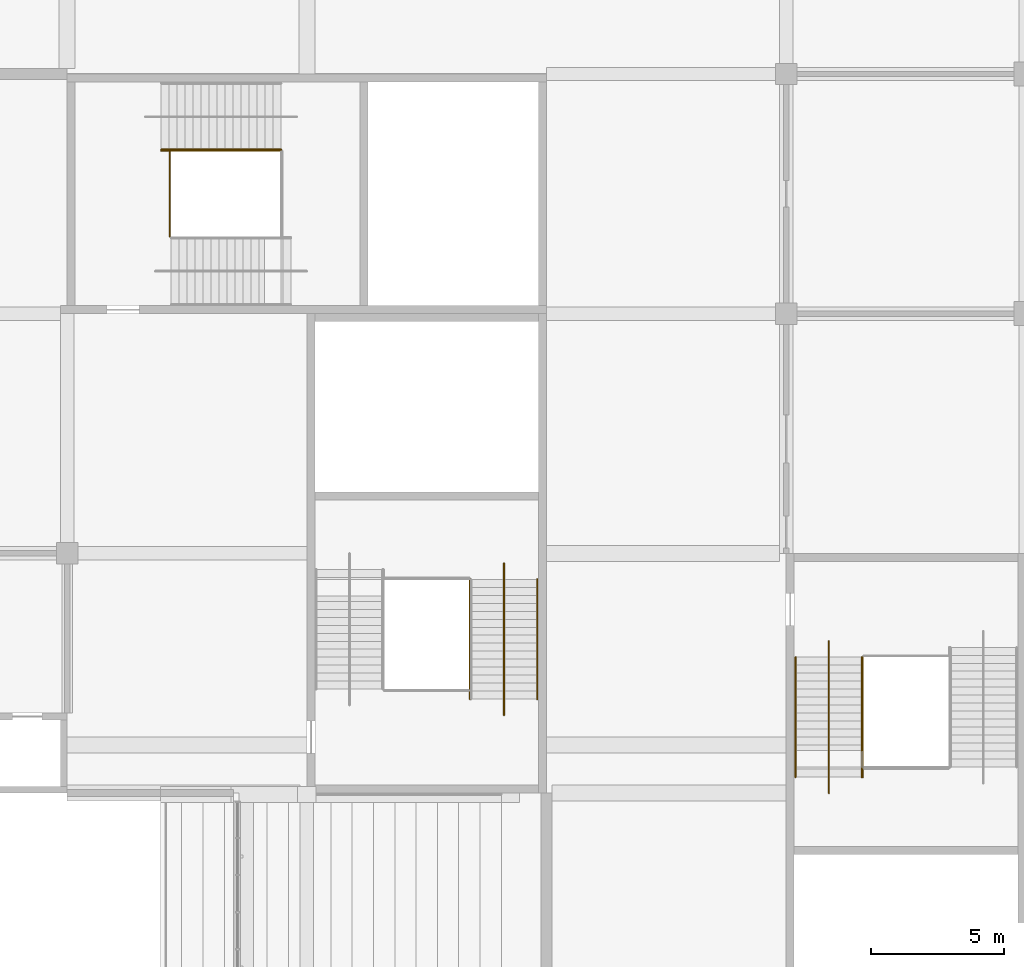
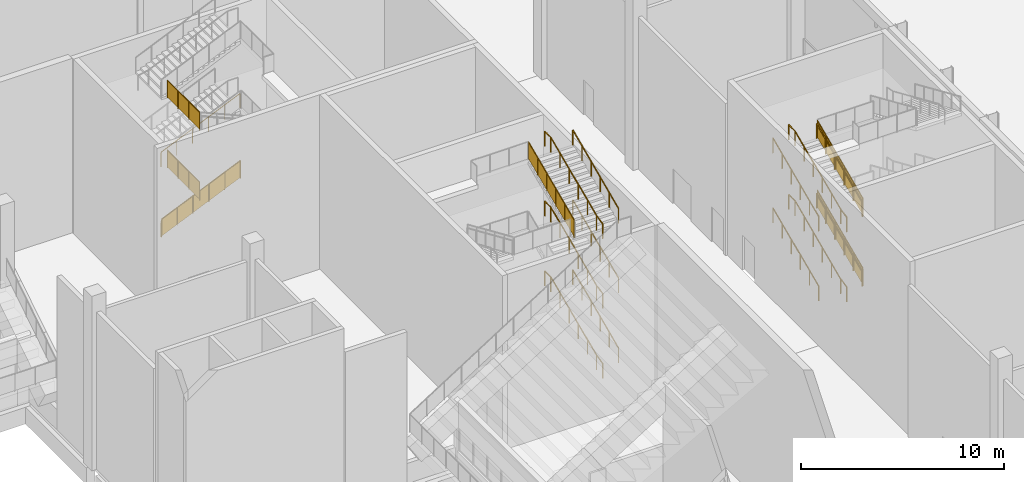
# One storey, part 165 of 182: 20 railings.
"""IFC4 building model written with IfcOpenShell, lengths in metres."""

from ifc_helpers import new_model, si_unit, direction, frame, origin, origin_2d, place, context, subcontext, project, spatial, polyline, circle, outline, extrude, material, type_object, element, save


model = new_model("IFC4")

# Units and contexts
model_context = context("Model", 3, precision=1e-05, world=origin(), true_north=direction((0.0, 1.0)))
body_context = subcontext(model_context, "Body", "Model", "MODEL_VIEW")
ifc_project = project(units=[si_unit("LENGTHUNIT", "METRE"), si_unit("AREAUNIT", "SQUARE_METRE"), si_unit("VOLUMEUNIT", "CUBIC_METRE"), si_unit("PLANEANGLEUNIT", "RADIAN"), si_unit("MASSUNIT", "GRAM", prefix="KILO")], contexts=[model_context])

# Site, building, storey
site_placement = place(None, origin())
site = spatial("IfcSite", under=ifc_project, at=site_placement, CompositionType="ELEMENT")
building_placement = place(site_placement, origin())
building = spatial("IfcBuilding", under=site, at=building_placement, Name="Silverbay Arena", CompositionType="ELEMENT")
storey_placement = place(building_placement, frame((0.0, 0.0, 11.5)))
storey = spatial("IfcBuildingStorey", under=building, at=storey_placement, Name="L02", CompositionType="ELEMENT", Elevation=11.5)

# Railings
ifc_material_1 = material(Name="Stainless steel", Category="steel")
railing_type_1 = type_object("IfcRailingType", Name="Stair guard 1100", PredefinedType="GUARDRAIL", material=ifc_material_1)
railing_1_placement = place(storey_placement, frame((200.875, 99.60009765625, 2.231201171875)))
element("IfcRailing", 1, at=railing_1_placement, inside=storey, type_object=railing_type_1, Name="Stair ST-E2 L02 to L03 flight 2 guard right", PredefinedType="GUARDRAIL", context=body_context, shape_type="SweptSolid", body=[
    extrude(circle(Radius=0.02392578125, at=origin_2d()), frame((0.0, 0.0, 1.076171875), z_axis=(0.0, 0.916157334902, 0.40081883402), x_axis=(-1.0, 0.0, 0.0)), (0.0, 0.0, 1.0), 4.911865234375),
    extrude(outline(polyline([(-0.008056640625, 0.04638671875), (0.907958984375, 0.447265625), (0.907958984375, 1.4501953125), (-0.008056640625, 1.049560546875), (-0.008056640625, 0.04638671875)])), frame((-0.0029296875, 0.0, 0.0), z_axis=(1.0, 0.0, 0.0), x_axis=(0.0, 1.0, 0.0)), (0.0, 0.0, 1.0), 0.006103515625),
    extrude(outline(polyline([(-0.008056640625, 0.440185546875), (0.907958984375, 0.841064453125), (0.907958984375, 1.843994140625), (-0.008056640625, 1.443359375), (-0.008056640625, 0.440185546875)])), frame((-0.0029296875, 0.89990234375, 0.0), z_axis=(1.0, 0.0, 0.0), x_axis=(0.0, 1.0, 0.0)), (0.0, 0.0, 1.0), 0.006103515625),
    extrude(outline(polyline([(-0.008056640625, 0.833984375), (0.907958984375, 1.23486328125), (0.907958984375, 2.23779296875), (-0.008056640625, 1.8369140625), (-0.008056640625, 0.833984375)])), frame((-0.0029296875, 1.800048828125, 0.0), z_axis=(1.0, 0.0, 0.0), x_axis=(0.0, 1.0, 0.0)), (0.0, 0.0, 1.0), 0.006103515625),
    extrude(outline(polyline([(-0.008056640625, 1.227783203125), (0.907958984375, 1.62841796875), (0.907958984375, 2.631591796875), (-0.008056640625, 2.230712890625), (-0.008056640625, 1.227783203125)])), frame((-0.0029296875, 2.699951171875, 0.0), z_axis=(1.0, 0.0, 0.0), x_axis=(0.0, 1.0, 0.0)), (0.0, 0.0, 1.0), 0.006103515625),
    extrude(outline(polyline([(-0.008056640625, 1.62158203125), (0.907958984375, 2.022216796875), (0.907958984375, 3.025146484375), (-0.008056640625, 2.62451171875), (-0.008056640625, 1.62158203125)])), frame((-0.0029296875, 3.60009765625, 0.0), z_axis=(1.0, 0.0, 0.0), x_axis=(0.0, 1.0, 0.0)), (0.0, 0.0, 1.0), 0.006103515625),
    extrude(circle(Radius=0.02099609375, at=origin_2d()), origin(), (0.0, 0.0, 1.0), 1.052001953125),
    extrude(circle(Radius=0.02099609375, at=origin_2d()), frame((0.0, 0.89990234375, 0.393798828125)), (0.0, 0.0, 1.0), 1.052001953125),
    extrude(circle(Radius=0.02099609375, at=origin_2d()), frame((0.0, 1.800048828125, 0.78759765625)), (0.0, 0.0, 1.0), 1.052001953125),
    extrude(circle(Radius=0.02099609375, at=origin_2d()), frame((0.0, 2.699951171875, 1.18115234375)), (0.0, 0.0, 1.0), 1.052001953125),
    extrude(circle(Radius=0.02099609375, at=origin_2d()), frame((0.0, 3.60009765625, 1.574951171875)), (0.0, 0.0, 1.0), 1.052001953125),
    extrude(circle(Radius=0.02099609375, at=origin_2d()), frame((0.0, 4.5, 1.96875)), (0.0, 0.0, 1.0), 1.052001953125),
])
railing_2_placement = place(storey_placement, frame((200.875, 99.60009765625, 6.43115234375)))
element("IfcRailing", 2, at=railing_2_placement, inside=storey, type_object=railing_type_1, Name="Stair ST-E2 L02 to L03 flight 4 guard right", PredefinedType="GUARDRAIL", context=body_context, shape_type="SweptSolid", body=[
    extrude(circle(Radius=0.02392578125, at=origin_2d()), frame((0.0, 0.0, 1.076171875), z_axis=(0.0, 0.916157334902, 0.40081883402), x_axis=(-1.0, 0.0, 0.0)), (0.0, 0.0, 1.0), 4.911865234375),
    extrude(outline(polyline([(-0.008056640625, 0.04638671875), (0.907958984375, 0.447265625), (0.907958984375, 1.4501953125), (-0.008056640625, 1.049560546875), (-0.008056640625, 0.04638671875)])), frame((-0.0029296875, 0.0, 0.0), z_axis=(1.0, 0.0, 0.0), x_axis=(0.0, 1.0, 0.0)), (0.0, 0.0, 1.0), 0.006103515625),
    extrude(outline(polyline([(-0.008056640625, 0.440185546875), (0.907958984375, 0.841064453125), (0.907958984375, 1.843994140625), (-0.008056640625, 1.443359375), (-0.008056640625, 0.440185546875)])), frame((-0.0029296875, 0.89990234375, 0.0), z_axis=(1.0, 0.0, 0.0), x_axis=(0.0, 1.0, 0.0)), (0.0, 0.0, 1.0), 0.006103515625),
    extrude(outline(polyline([(-0.008056640625, 0.833984375), (0.907958984375, 1.23486328125), (0.907958984375, 2.23779296875), (-0.008056640625, 1.8369140625), (-0.008056640625, 0.833984375)])), frame((-0.0029296875, 1.800048828125, 0.0), z_axis=(1.0, 0.0, 0.0), x_axis=(0.0, 1.0, 0.0)), (0.0, 0.0, 1.0), 0.006103515625),
    extrude(outline(polyline([(-0.008056640625, 1.227783203125), (0.907958984375, 1.62841796875), (0.907958984375, 2.631591796875), (-0.008056640625, 2.230712890625), (-0.008056640625, 1.227783203125)])), frame((-0.0029296875, 2.699951171875, 0.0), z_axis=(1.0, 0.0, 0.0), x_axis=(0.0, 1.0, 0.0)), (0.0, 0.0, 1.0), 0.006103515625),
    extrude(outline(polyline([(-0.008056640625, 1.62158203125), (0.907958984375, 2.022216796875), (0.907958984375, 3.025146484375), (-0.008056640625, 2.62451171875), (-0.008056640625, 1.62158203125)])), frame((-0.0029296875, 3.60009765625, 0.0), z_axis=(1.0, 0.0, 0.0), x_axis=(0.0, 1.0, 0.0)), (0.0, 0.0, 1.0), 0.006103515625),
    extrude(circle(Radius=0.02099609375, at=origin_2d()), origin(), (0.0, 0.0, 1.0), 1.052001953125),
    extrude(circle(Radius=0.02099609375, at=origin_2d()), frame((0.0, 0.89990234375, 0.393798828125)), (0.0, 0.0, 1.0), 1.052001953125),
    extrude(circle(Radius=0.02099609375, at=origin_2d()), frame((0.0, 1.800048828125, 0.78759765625)), (0.0, 0.0, 1.0), 1.052001953125),
    extrude(circle(Radius=0.02099609375, at=origin_2d()), frame((0.0, 2.699951171875, 1.18115234375)), (0.0, 0.0, 1.0), 1.052001953125),
    extrude(circle(Radius=0.02099609375, at=origin_2d()), frame((0.0, 3.60009765625, 1.574951171875)), (0.0, 0.0, 1.0), 1.052001953125),
    extrude(circle(Radius=0.02099609375, at=origin_2d()), frame((0.0, 4.5, 1.96875)), (0.0, 0.0, 1.0), 1.052001953125),
])
railing_3_placement = place(storey_placement, frame((174.52587890625, 123.125, 0.13134765625)))
element("IfcRailing", 3, at=railing_3_placement, inside=storey, type_object=railing_type_1, Name="Stair ST-NE1 L02 to L03 flight 1 guard left", PredefinedType="GUARDRAIL", context=body_context, shape_type="SweptSolid", body=[
    extrude(circle(Radius=0.02392578125, at=origin_2d()), frame((0.0, 0.0, 1.076171875), z_axis=(0.916157334902, 0.0, 0.40081883402), x_axis=(0.0, 1.0, 0.0)), (0.0, 0.0, 1.0), 4.911865234375),
    extrude(outline(polyline([(-0.008056640625, 0.04638671875), (0.907958984375, 0.447265625), (0.907958984375, 1.4501953125), (-0.008056640625, 1.049560546875), (-0.008056640625, 0.04638671875)])), frame((0.0, 0.0029296875, 0.0), z_axis=(0.0, -1.0, 0.0), x_axis=(1.0, 0.0, 0.0)), (0.0, 0.0, 1.0), 0.006103515625),
    extrude(outline(polyline([(-0.008056640625, 0.440185546875), (0.907958984375, 0.841064453125), (0.907958984375, 1.843994140625), (-0.008056640625, 1.443359375), (-0.008056640625, 0.440185546875)])), frame((0.89990234375, 0.0029296875, 0.0), z_axis=(0.0, -1.0, 0.0), x_axis=(1.0, 0.0, 0.0)), (0.0, 0.0, 1.0), 0.006103515625),
    extrude(outline(polyline([(-0.008056640625, 0.833984375), (0.907958984375, 1.23486328125), (0.907958984375, 2.23779296875), (-0.008056640625, 1.8369140625), (-0.008056640625, 0.833984375)])), frame((1.800048828125, 0.0029296875, 0.0), z_axis=(0.0, -1.0, 0.0), x_axis=(1.0, 0.0, 0.0)), (0.0, 0.0, 1.0), 0.006103515625),
    extrude(outline(polyline([(-0.008056640625, 1.227783203125), (0.907958984375, 1.62841796875), (0.907958984375, 2.631591796875), (-0.008056640625, 2.230712890625), (-0.008056640625, 1.227783203125)])), frame((2.699951171875, 0.0029296875, 0.0), z_axis=(0.0, -1.0, 0.0), x_axis=(1.0, 0.0, 0.0)), (0.0, 0.0, 1.0), 0.006103515625),
    extrude(outline(polyline([(-0.008056640625, 1.62158203125), (0.907958984375, 2.022216796875), (0.907958984375, 3.025146484375), (-0.008056640625, 2.62451171875), (-0.008056640625, 1.62158203125)])), frame((3.60009765625, 0.0029296875, 0.0), z_axis=(0.0, -1.0, 0.0), x_axis=(1.0, 0.0, 0.0)), (0.0, 0.0, 1.0), 0.006103515625),
    extrude(circle(Radius=0.02099609375, at=origin_2d()), origin(), (0.0, 0.0, 1.0), 1.052001953125),
    extrude(circle(Radius=0.02099609375, at=origin_2d()), frame((0.89990234375, 0.0, 0.393798828125)), (0.0, 0.0, 1.0), 1.052001953125),
    extrude(circle(Radius=0.02099609375, at=origin_2d()), frame((1.800048828125, 0.0, 0.78759765625)), (0.0, 0.0, 1.0), 1.052001953125),
    extrude(circle(Radius=0.02099609375, at=origin_2d()), frame((2.699951171875, 0.0, 1.18115234375)), (0.0, 0.0, 1.0), 1.052001953125),
    extrude(circle(Radius=0.02099609375, at=origin_2d()), frame((3.60009765625, 0.0, 1.574951171875)), (0.0, 0.0, 1.0), 1.052001953125),
    extrude(circle(Radius=0.02099609375, at=origin_2d()), frame((4.5, 0.0, 1.96875)), (0.0, 0.0, 1.0), 1.052001953125),
])
for number, where, name in (
    (4, (174.85009765625, 119.89990234375, 4.199951171875), "Stair ST-NE1 L02 to L03 landing 2 guard"),
    (5, (174.85009765625, 119.89990234375, 8.39990234375), "Stair ST-NE1 L02 to L03 landing 4 guard"),
):
    element("IfcRailing", number, at=place(storey_placement, frame(where)), inside=storey, type_object=railing_type_1, Name=name, PredefinedType="GUARDRAIL", context=body_context, shape_type="SweptSolid", body=[
        extrude(circle(Radius=0.02392578125, at=origin_2d()), frame((0.0, 0.0, 1.076171875), z_axis=(0.0, 1.0, 0.0), x_axis=(-1.0, 0.0, 0.0)), (0.0, 0.0, 1.0), 3.2001953125),
        extrude(outline(polyline([(-0.008056640625, 0.050048828125), (1.07470703125, 0.050048828125), (1.07470703125, 1.052978515625), (-0.008056640625, 1.052978515625), (-0.008056640625, 0.050048828125)])), frame((-0.0029296875, 0.0, 0.0), z_axis=(1.0, 0.0, 0.0), x_axis=(0.0, 1.0, 0.0)), (0.0, 0.0, 1.0), 0.006103515625),
        extrude(outline(polyline([(-0.008056640625, 0.050048828125), (1.07470703125, 0.050048828125), (1.07470703125, 1.052978515625), (-0.008056640625, 1.052978515625), (-0.008056640625, 0.050048828125)])), frame((-0.0029296875, 1.066650390625, 0.0), z_axis=(1.0, 0.0, 0.0), x_axis=(0.0, 1.0, 0.0)), (0.0, 0.0, 1.0), 0.006103515625),
        extrude(outline(polyline([(-0.008056640625, 0.050048828125), (1.07470703125, 0.050048828125), (1.07470703125, 1.052978515625), (-0.008056640625, 1.052978515625), (-0.008056640625, 0.050048828125)])), frame((-0.0029296875, 2.133544921875, 0.0), z_axis=(1.0, 0.0, 0.0), x_axis=(0.0, 1.0, 0.0)), (0.0, 0.0, 1.0), 0.006103515625),
        extrude(circle(Radius=0.02099609375, at=origin_2d()), origin(), (0.0, 0.0, 1.0), 1.052001953125),
        extrude(circle(Radius=0.02099609375, at=origin_2d()), frame((0.0, 1.066650390625, 0.0)), (0.0, 0.0, 1.0), 1.052001953125),
        extrude(circle(Radius=0.02099609375, at=origin_2d()), frame((0.0, 2.133544921875, 0.0)), (0.0, 0.0, 1.0), 1.052001953125),
        extrude(circle(Radius=0.02099609375, at=origin_2d()), frame((0.0, 3.2001953125, 0.0)), (0.0, 0.0, 1.0), 1.052001953125),
    ])
railing_4_placement = place(storey_placement, frame((186.125, 102.52587890625, 8.53125)))
element("IfcRailing", 6, at=railing_4_placement, inside=storey, type_object=railing_type_1, Name="Stair ST-NE2 L02 to L03 flight 5 guard left", PredefinedType="GUARDRAIL", context=body_context, shape_type="SweptSolid", body=[
    extrude(circle(Radius=0.02392578125, at=origin_2d()), frame((0.0, 0.0, 1.076171875), z_axis=(0.0, 0.916157334902, 0.40081883402), x_axis=(-1.0, 0.0, 0.0)), (0.0, 0.0, 1.0), 4.911865234375),
    extrude(outline(polyline([(-0.008056640625, 0.04638671875), (0.907958984375, 0.447265625), (0.907958984375, 1.4501953125), (-0.008056640625, 1.049560546875), (-0.008056640625, 0.04638671875)])), frame((-0.0029296875, 0.0, 0.0), z_axis=(1.0, 0.0, 0.0), x_axis=(0.0, 1.0, 0.0)), (0.0, 0.0, 1.0), 0.006103515625),
    extrude(outline(polyline([(-0.008056640625, 0.440185546875), (0.907958984375, 0.841064453125), (0.907958984375, 1.843994140625), (-0.008056640625, 1.443359375), (-0.008056640625, 0.440185546875)])), frame((-0.0029296875, 0.89990234375, 0.0), z_axis=(1.0, 0.0, 0.0), x_axis=(0.0, 1.0, 0.0)), (0.0, 0.0, 1.0), 0.006103515625),
    extrude(outline(polyline([(-0.008056640625, 0.833984375), (0.907958984375, 1.23486328125), (0.907958984375, 2.23779296875), (-0.008056640625, 1.8369140625), (-0.008056640625, 0.833984375)])), frame((-0.0029296875, 1.800048828125, 0.0), z_axis=(1.0, 0.0, 0.0), x_axis=(0.0, 1.0, 0.0)), (0.0, 0.0, 1.0), 0.006103515625),
    extrude(outline(polyline([(-0.008056640625, 1.227783203125), (0.907958984375, 1.62841796875), (0.907958984375, 2.631591796875), (-0.008056640625, 2.230712890625), (-0.008056640625, 1.227783203125)])), frame((-0.0029296875, 2.699951171875, 0.0), z_axis=(1.0, 0.0, 0.0), x_axis=(0.0, 1.0, 0.0)), (0.0, 0.0, 1.0), 0.006103515625),
    extrude(outline(polyline([(-0.008056640625, 1.62158203125), (0.907958984375, 2.022216796875), (0.907958984375, 3.025146484375), (-0.008056640625, 2.62451171875), (-0.008056640625, 1.62158203125)])), frame((-0.0029296875, 3.60009765625, 0.0), z_axis=(1.0, 0.0, 0.0), x_axis=(0.0, 1.0, 0.0)), (0.0, 0.0, 1.0), 0.006103515625),
    extrude(circle(Radius=0.02099609375, at=origin_2d()), origin(), (0.0, 0.0, 1.0), 1.052001953125),
    extrude(circle(Radius=0.02099609375, at=origin_2d()), frame((0.0, 0.89990234375, 0.393798828125)), (0.0, 0.0, 1.0), 1.052001953125),
    extrude(circle(Radius=0.02099609375, at=origin_2d()), frame((0.0, 1.800048828125, 0.78759765625)), (0.0, 0.0, 1.0), 1.052001953125),
    extrude(circle(Radius=0.02099609375, at=origin_2d()), frame((0.0, 2.699951171875, 1.18115234375)), (0.0, 0.0, 1.0), 1.052001953125),
    extrude(circle(Radius=0.02099609375, at=origin_2d()), frame((0.0, 3.60009765625, 1.574951171875)), (0.0, 0.0, 1.0), 1.052001953125),
    extrude(circle(Radius=0.02099609375, at=origin_2d()), frame((0.0, 4.5, 1.96875)), (0.0, 0.0, 1.0), 1.052001953125),
])
ifc_material_2 = material(Name="Stainless steel", Category="steel")
railing_type_2 = type_object("IfcRailingType", Name="Stair handrail 900", PredefinedType="HANDRAIL", material=ifc_material_2)
for number, where, name in (
    (7, (198.35009765625, 99.60009765625, 2.231201171875), "Stair ST-E2 L02 to L03 flight 2 handrail left"),
    (8, (200.8359375, 99.60009765625, 2.231201171875), "Stair ST-E2 L02 to L03 flight 2 handrail right"),
):
    element("IfcRailing", number, at=place(storey_placement, frame(where)), inside=storey, type_object=railing_type_2, Name=name, PredefinedType="HANDRAIL", context=body_context, shape_type="SweptSolid", body=[
        extrude(circle(Radius=0.02392578125, at=origin_2d()), frame((0.0, 0.0, 0.8759765625), z_axis=(0.0, 0.916157334902, 0.40081883402), x_axis=(-1.0, 0.0, 0.0)), (0.0, 0.0, 1.0), 4.911865234375),
        extrude(circle(Radius=0.02099609375, at=origin_2d()), origin(), (0.0, 0.0, 1.0), 0.851806640625),
        extrude(circle(Radius=0.02099609375, at=origin_2d()), frame((0.0, 0.89990234375, 0.393798828125)), (0.0, 0.0, 1.0), 0.851806640625),
        extrude(circle(Radius=0.02099609375, at=origin_2d()), frame((0.0, 1.800048828125, 0.78759765625)), (0.0, 0.0, 1.0), 0.851806640625),
        extrude(circle(Radius=0.02099609375, at=origin_2d()), frame((0.0, 2.699951171875, 1.18115234375)), (0.0, 0.0, 1.0), 0.851806640625),
        extrude(circle(Radius=0.02099609375, at=origin_2d()), frame((0.0, 3.60009765625, 1.574951171875)), (0.0, 0.0, 1.0), 0.851806640625),
        extrude(circle(Radius=0.02099609375, at=origin_2d()), frame((0.0, 4.5, 1.96875)), (0.0, 0.0, 1.0), 0.851806640625),
    ])
railing_5_placement = place(storey_placement, frame((199.60009765625, 99.0, 2.10009765625)))
element("IfcRailing", 9, at=railing_5_placement, inside=storey, type_object=railing_type_2, Name="Stair ST-E2 L02 to L03 flight 2 central handrail", PredefinedType="HANDRAIL", context=body_context, shape_type="SweptSolid", body=[
    extrude(circle(Radius=0.02392578125, at=origin_2d()), frame((0.0, 0.0, 0.8759765625), z_axis=(0.0, 0.976957027196, 0.213436095852), x_axis=(-1.0, 0.0, 0.0)), (0.0, 0.0, 1.0), 0.6142578125),
    extrude(circle(Radius=0.02392578125, at=origin_2d()), frame((0.0, 0.60009765625, 1.0068359375), z_axis=(0.0, 0.916157334902, 0.40081883402), x_axis=(-1.0, 0.0, 0.0)), (0.0, 0.0, 1.0), 4.911865234375),
    extrude(circle(Radius=0.02392578125, at=origin_2d()), frame((0.0, 5.10009765625, 2.9755859375), z_axis=(0.0, 1.0, 0.0), x_axis=(-1.0, 0.0, 0.0)), (0.0, 0.0, 1.0), 0.599853515625),
    extrude(circle(Radius=0.02099609375, at=origin_2d()), origin(), (0.0, 0.0, 1.0), 0.851806640625),
    extrude(circle(Radius=0.02099609375, at=origin_2d()), frame((0.0, 0.60009765625, 0.131103515625)), (0.0, 0.0, 1.0), 0.851806640625),
    extrude(circle(Radius=0.02099609375, at=origin_2d()), frame((0.0, 1.5, 0.52490234375)), (0.0, 0.0, 1.0), 0.851806640625),
    extrude(circle(Radius=0.02099609375, at=origin_2d()), frame((0.0, 2.400146484375, 0.918701171875)), (0.0, 0.0, 1.0), 0.851806640625),
    extrude(circle(Radius=0.02099609375, at=origin_2d()), frame((0.0, 3.300048828125, 1.312255859375)), (0.0, 0.0, 1.0), 0.851806640625),
    extrude(circle(Radius=0.02099609375, at=origin_2d()), frame((0.0, 4.2001953125, 1.7060546875)), (0.0, 0.0, 1.0), 0.851806640625),
    extrude(circle(Radius=0.02099609375, at=origin_2d()), frame((0.0, 5.10009765625, 2.099853515625)), (0.0, 0.0, 1.0), 0.851806640625),
    extrude(circle(Radius=0.02099609375, at=origin_2d()), frame((0.0, 5.699951171875, 2.099853515625)), (0.0, 0.0, 1.0), 0.851806640625),
])
for number, where, name in (
    (10, (198.35009765625, 99.60009765625, 6.43115234375), "Stair ST-E2 L02 to L03 flight 4 handrail left"),
    (11, (200.8359375, 99.60009765625, 6.43115234375), "Stair ST-E2 L02 to L03 flight 4 handrail right"),
):
    element("IfcRailing", number, at=place(storey_placement, frame(where)), inside=storey, type_object=railing_type_2, Name=name, PredefinedType="HANDRAIL", context=body_context, shape_type="SweptSolid", body=[
        extrude(circle(Radius=0.02392578125, at=origin_2d()), frame((0.0, 0.0, 0.8759765625), z_axis=(0.0, 0.916157334902, 0.40081883402), x_axis=(-1.0, 0.0, 0.0)), (0.0, 0.0, 1.0), 4.911865234375),
        extrude(circle(Radius=0.02099609375, at=origin_2d()), origin(), (0.0, 0.0, 1.0), 0.851806640625),
        extrude(circle(Radius=0.02099609375, at=origin_2d()), frame((0.0, 0.89990234375, 0.393798828125)), (0.0, 0.0, 1.0), 0.851806640625),
        extrude(circle(Radius=0.02099609375, at=origin_2d()), frame((0.0, 1.800048828125, 0.78759765625)), (0.0, 0.0, 1.0), 0.851806640625),
        extrude(circle(Radius=0.02099609375, at=origin_2d()), frame((0.0, 2.699951171875, 1.18115234375)), (0.0, 0.0, 1.0), 0.851806640625),
        extrude(circle(Radius=0.02099609375, at=origin_2d()), frame((0.0, 3.60009765625, 1.574951171875)), (0.0, 0.0, 1.0), 0.851806640625),
        extrude(circle(Radius=0.02099609375, at=origin_2d()), frame((0.0, 4.5, 1.96875)), (0.0, 0.0, 1.0), 0.851806640625),
    ])
railing_6_placement = place(storey_placement, frame((199.60009765625, 99.0, 6.300048828125)))
element("IfcRailing", 12, at=railing_6_placement, inside=storey, type_object=railing_type_2, Name="Stair ST-E2 L02 to L03 flight 4 central handrail", PredefinedType="HANDRAIL", context=body_context, shape_type="SweptSolid", body=[
    extrude(circle(Radius=0.02392578125, at=origin_2d()), frame((0.0, 0.0, 0.8759765625), z_axis=(0.0, 0.976957027196, 0.213436095852), x_axis=(-1.0, 0.0, 0.0)), (0.0, 0.0, 1.0), 0.6142578125),
    extrude(circle(Radius=0.02392578125, at=origin_2d()), frame((0.0, 0.60009765625, 1.0068359375), z_axis=(0.0, 0.916157334902, 0.40081883402), x_axis=(-1.0, 0.0, 0.0)), (0.0, 0.0, 1.0), 4.911865234375),
    extrude(circle(Radius=0.02392578125, at=origin_2d()), frame((0.0, 5.10009765625, 2.9755859375), z_axis=(0.0, 1.0, 0.0), x_axis=(-1.0, 0.0, 0.0)), (0.0, 0.0, 1.0), 0.599853515625),
    extrude(circle(Radius=0.02099609375, at=origin_2d()), origin(), (0.0, 0.0, 1.0), 0.851806640625),
    extrude(circle(Radius=0.02099609375, at=origin_2d()), frame((0.0, 0.60009765625, 0.131103515625)), (0.0, 0.0, 1.0), 0.851806640625),
    extrude(circle(Radius=0.02099609375, at=origin_2d()), frame((0.0, 1.5, 0.52490234375)), (0.0, 0.0, 1.0), 0.851806640625),
    extrude(circle(Radius=0.02099609375, at=origin_2d()), frame((0.0, 2.400146484375, 0.918701171875)), (0.0, 0.0, 1.0), 0.851806640625),
    extrude(circle(Radius=0.02099609375, at=origin_2d()), frame((0.0, 3.300048828125, 1.312255859375)), (0.0, 0.0, 1.0), 0.851806640625),
    extrude(circle(Radius=0.02099609375, at=origin_2d()), frame((0.0, 4.2001953125, 1.7060546875)), (0.0, 0.0, 1.0), 0.851806640625),
    extrude(circle(Radius=0.02099609375, at=origin_2d()), frame((0.0, 5.10009765625, 2.099853515625)), (0.0, 0.0, 1.0), 0.851806640625),
    extrude(circle(Radius=0.02099609375, at=origin_2d()), frame((0.0, 5.699951171875, 2.099853515625)), (0.0, 0.0, 1.0), 0.851806640625),
])
for number, where, name in (
    (13, (174.52587890625, 123.1640625, 0.13134765625), "Stair ST-NE1 L02 to L03 flight 1 handrail left"),
    (14, (174.52587890625, 123.1640625, 4.331298828125), "Stair ST-NE1 L02 to L03 flight 3 handrail left"),
):
    element("IfcRailing", number, at=place(storey_placement, frame(where)), inside=storey, type_object=railing_type_2, Name=name, PredefinedType="HANDRAIL", context=body_context, shape_type="SweptSolid", body=[
        extrude(circle(Radius=0.02392578125, at=origin_2d()), frame((0.0, 0.0, 0.8759765625), z_axis=(0.916157334902, 0.0, 0.40081883402), x_axis=(0.0, 1.0, 0.0)), (0.0, 0.0, 1.0), 4.911865234375),
        extrude(circle(Radius=0.02099609375, at=origin_2d()), origin(), (0.0, 0.0, 1.0), 0.851806640625),
        extrude(circle(Radius=0.02099609375, at=origin_2d()), frame((0.89990234375, 0.0, 0.393798828125)), (0.0, 0.0, 1.0), 0.851806640625),
        extrude(circle(Radius=0.02099609375, at=origin_2d()), frame((1.800048828125, 0.0, 0.78759765625)), (0.0, 0.0, 1.0), 0.851806640625),
        extrude(circle(Radius=0.02099609375, at=origin_2d()), frame((2.699951171875, 0.0, 1.18115234375)), (0.0, 0.0, 1.0), 0.851806640625),
        extrude(circle(Radius=0.02099609375, at=origin_2d()), frame((3.60009765625, 0.0, 1.574951171875)), (0.0, 0.0, 1.0), 0.851806640625),
        extrude(circle(Radius=0.02099609375, at=origin_2d()), frame((4.5, 0.0, 1.96875)), (0.0, 0.0, 1.0), 0.851806640625),
    ])
railing_7_placement = place(storey_placement, frame((188.64990234375, 102.52587890625, 0.13134765625)))
element("IfcRailing", 15, at=railing_7_placement, inside=storey, type_object=railing_type_2, Name="Stair ST-NE2 L02 to L03 flight 1 handrail right", PredefinedType="HANDRAIL", context=body_context, shape_type="SweptSolid", body=[
    extrude(circle(Radius=0.02392578125, at=origin_2d()), frame((0.0, 0.0, 0.8759765625), z_axis=(0.0, 0.916157334902, 0.40081883402), x_axis=(-1.0, 0.0, 0.0)), (0.0, 0.0, 1.0), 4.911865234375),
    extrude(circle(Radius=0.02099609375, at=origin_2d()), origin(), (0.0, 0.0, 1.0), 0.851806640625),
    extrude(circle(Radius=0.02099609375, at=origin_2d()), frame((0.0, 0.89990234375, 0.393798828125)), (0.0, 0.0, 1.0), 0.851806640625),
    extrude(circle(Radius=0.02099609375, at=origin_2d()), frame((0.0, 1.800048828125, 0.78759765625)), (0.0, 0.0, 1.0), 0.851806640625),
    extrude(circle(Radius=0.02099609375, at=origin_2d()), frame((0.0, 2.699951171875, 1.18115234375)), (0.0, 0.0, 1.0), 0.851806640625),
    extrude(circle(Radius=0.02099609375, at=origin_2d()), frame((0.0, 3.60009765625, 1.574951171875)), (0.0, 0.0, 1.0), 0.851806640625),
    extrude(circle(Radius=0.02099609375, at=origin_2d()), frame((0.0, 4.5, 1.96875)), (0.0, 0.0, 1.0), 0.851806640625),
])
railing_8_placement = place(storey_placement, frame((187.39990234375, 101.92578125, 0.0)))
element("IfcRailing", 16, at=railing_8_placement, inside=storey, type_object=railing_type_2, Name="Stair ST-NE2 L02 to L03 flight 1 central handrail", PredefinedType="HANDRAIL", context=body_context, shape_type="SweptSolid", body=[
    extrude(circle(Radius=0.02392578125, at=origin_2d()), frame((0.0, 0.0, 0.8759765625), z_axis=(0.0, 0.976874083041, 0.213815401414), x_axis=(-1.0, 0.0, 0.0)), (0.0, 0.0, 1.0), 0.6142578125),
    extrude(circle(Radius=0.02392578125, at=origin_2d()), frame((0.0, 0.60009765625, 1.00732421875), z_axis=(0.0, 0.916157334902, 0.40081883402), x_axis=(-1.0, 0.0, 0.0)), (0.0, 0.0, 1.0), 4.911865234375),
    extrude(circle(Radius=0.02392578125, at=origin_2d()), frame((0.0, 5.10009765625, 2.97607421875), z_axis=(0.0, 1.0, 0.0), x_axis=(-1.0, 0.0, 0.0)), (0.0, 0.0, 1.0), 0.599853515625),
    extrude(circle(Radius=0.02099609375, at=origin_2d()), origin(), (0.0, 0.0, 1.0), 0.851806640625),
    extrude(circle(Radius=0.02099609375, at=origin_2d()), frame((0.0, 0.60009765625, 0.13134765625)), (0.0, 0.0, 1.0), 0.851806640625),
    extrude(circle(Radius=0.02099609375, at=origin_2d()), frame((0.0, 1.5, 0.525146484375)), (0.0, 0.0, 1.0), 0.851806640625),
    extrude(circle(Radius=0.02099609375, at=origin_2d()), frame((0.0, 2.400146484375, 0.9189453125)), (0.0, 0.0, 1.0), 0.851806640625),
    extrude(circle(Radius=0.02099609375, at=origin_2d()), frame((0.0, 3.300048828125, 1.3125)), (0.0, 0.0, 1.0), 0.851806640625),
    extrude(circle(Radius=0.02099609375, at=origin_2d()), frame((0.0, 4.2001953125, 1.706298828125)), (0.0, 0.0, 1.0), 0.851806640625),
    extrude(circle(Radius=0.02099609375, at=origin_2d()), frame((0.0, 5.10009765625, 2.10009765625)), (0.0, 0.0, 1.0), 0.851806640625),
    extrude(circle(Radius=0.02099609375, at=origin_2d()), frame((0.0, 5.699951171875, 2.10009765625)), (0.0, 0.0, 1.0), 0.851806640625),
])
railing_9_placement = place(storey_placement, frame((188.64990234375, 102.52587890625, 4.331298828125)))
element("IfcRailing", 17, at=railing_9_placement, inside=storey, type_object=railing_type_2, Name="Stair ST-NE2 L02 to L03 flight 3 handrail right", PredefinedType="HANDRAIL", context=body_context, shape_type="SweptSolid", body=[
    extrude(circle(Radius=0.02392578125, at=origin_2d()), frame((0.0, 0.0, 0.8759765625), z_axis=(0.0, 0.916157334902, 0.40081883402), x_axis=(-1.0, 0.0, 0.0)), (0.0, 0.0, 1.0), 4.911865234375),
    extrude(circle(Radius=0.02099609375, at=origin_2d()), origin(), (0.0, 0.0, 1.0), 0.851806640625),
    extrude(circle(Radius=0.02099609375, at=origin_2d()), frame((0.0, 0.89990234375, 0.393798828125)), (0.0, 0.0, 1.0), 0.851806640625),
    extrude(circle(Radius=0.02099609375, at=origin_2d()), frame((0.0, 1.800048828125, 0.78759765625)), (0.0, 0.0, 1.0), 0.851806640625),
    extrude(circle(Radius=0.02099609375, at=origin_2d()), frame((0.0, 2.699951171875, 1.18115234375)), (0.0, 0.0, 1.0), 0.851806640625),
    extrude(circle(Radius=0.02099609375, at=origin_2d()), frame((0.0, 3.60009765625, 1.574951171875)), (0.0, 0.0, 1.0), 0.851806640625),
    extrude(circle(Radius=0.02099609375, at=origin_2d()), frame((0.0, 4.5, 1.96875)), (0.0, 0.0, 1.0), 0.851806640625),
])
railing_10_placement = place(storey_placement, frame((187.39990234375, 101.92578125, 4.199951171875)))
element("IfcRailing", 18, at=railing_10_placement, inside=storey, type_object=railing_type_2, Name="Stair ST-NE2 L02 to L03 flight 3 central handrail", PredefinedType="HANDRAIL", context=body_context, shape_type="SweptSolid", body=[
    extrude(circle(Radius=0.02392578125, at=origin_2d()), frame((0.0, 0.0, 0.8759765625), z_axis=(0.0, 0.976874083041, 0.213815401414), x_axis=(-1.0, 0.0, 0.0)), (0.0, 0.0, 1.0), 0.6142578125),
    extrude(circle(Radius=0.02392578125, at=origin_2d()), frame((0.0, 0.60009765625, 1.00732421875), z_axis=(0.0, 0.916157334902, 0.40081883402), x_axis=(-1.0, 0.0, 0.0)), (0.0, 0.0, 1.0), 4.911865234375),
    extrude(circle(Radius=0.02392578125, at=origin_2d()), frame((0.0, 5.10009765625, 2.97607421875), z_axis=(0.0, 1.0, 0.0), x_axis=(-1.0, 0.0, 0.0)), (0.0, 0.0, 1.0), 0.599853515625),
    extrude(circle(Radius=0.02099609375, at=origin_2d()), origin(), (0.0, 0.0, 1.0), 0.851806640625),
    extrude(circle(Radius=0.02099609375, at=origin_2d()), frame((0.0, 0.60009765625, 0.13134765625)), (0.0, 0.0, 1.0), 0.851806640625),
    extrude(circle(Radius=0.02099609375, at=origin_2d()), frame((0.0, 1.5, 0.525146484375)), (0.0, 0.0, 1.0), 0.851806640625),
    extrude(circle(Radius=0.02099609375, at=origin_2d()), frame((0.0, 2.400146484375, 0.9189453125)), (0.0, 0.0, 1.0), 0.851806640625),
    extrude(circle(Radius=0.02099609375, at=origin_2d()), frame((0.0, 3.300048828125, 1.3125)), (0.0, 0.0, 1.0), 0.851806640625),
    extrude(circle(Radius=0.02099609375, at=origin_2d()), frame((0.0, 4.2001953125, 1.706298828125)), (0.0, 0.0, 1.0), 0.851806640625),
    extrude(circle(Radius=0.02099609375, at=origin_2d()), frame((0.0, 5.10009765625, 2.10009765625)), (0.0, 0.0, 1.0), 0.851806640625),
    extrude(circle(Radius=0.02099609375, at=origin_2d()), frame((0.0, 5.699951171875, 2.10009765625)), (0.0, 0.0, 1.0), 0.851806640625),
])
railing_11_placement = place(storey_placement, frame((188.64990234375, 102.52587890625, 8.53125)))
element("IfcRailing", 19, at=railing_11_placement, inside=storey, type_object=railing_type_2, Name="Stair ST-NE2 L02 to L03 flight 5 handrail right", PredefinedType="HANDRAIL", context=body_context, shape_type="SweptSolid", body=[
    extrude(circle(Radius=0.02392578125, at=origin_2d()), frame((0.0, 0.0, 0.8759765625), z_axis=(0.0, 0.916157334902, 0.40081883402), x_axis=(-1.0, 0.0, 0.0)), (0.0, 0.0, 1.0), 4.911865234375),
    extrude(circle(Radius=0.02099609375, at=origin_2d()), origin(), (0.0, 0.0, 1.0), 0.851806640625),
    extrude(circle(Radius=0.02099609375, at=origin_2d()), frame((0.0, 0.89990234375, 0.393798828125)), (0.0, 0.0, 1.0), 0.851806640625),
    extrude(circle(Radius=0.02099609375, at=origin_2d()), frame((0.0, 1.800048828125, 0.78759765625)), (0.0, 0.0, 1.0), 0.851806640625),
    extrude(circle(Radius=0.02099609375, at=origin_2d()), frame((0.0, 2.699951171875, 1.18115234375)), (0.0, 0.0, 1.0), 0.851806640625),
    extrude(circle(Radius=0.02099609375, at=origin_2d()), frame((0.0, 3.60009765625, 1.574951171875)), (0.0, 0.0, 1.0), 0.851806640625),
    extrude(circle(Radius=0.02099609375, at=origin_2d()), frame((0.0, 4.5, 1.96875)), (0.0, 0.0, 1.0), 0.851806640625),
])
railing_12_placement = place(storey_placement, frame((187.39990234375, 101.92578125, 8.39990234375)))
element("IfcRailing", 20, at=railing_12_placement, inside=storey, type_object=railing_type_2, Name="Stair ST-NE2 L02 to L03 flight 5 central handrail", PredefinedType="HANDRAIL", context=body_context, shape_type="SweptSolid", body=[
    extrude(circle(Radius=0.02392578125, at=origin_2d()), frame((0.0, 0.0, 0.8759765625), z_axis=(0.0, 0.976874083041, 0.213815401414), x_axis=(-1.0, 0.0, 0.0)), (0.0, 0.0, 1.0), 0.6142578125),
    extrude(circle(Radius=0.02392578125, at=origin_2d()), frame((0.0, 0.60009765625, 1.00732421875), z_axis=(0.0, 0.916157334902, 0.40081883402), x_axis=(-1.0, 0.0, 0.0)), (0.0, 0.0, 1.0), 4.911865234375),
    extrude(circle(Radius=0.02392578125, at=origin_2d()), frame((0.0, 5.10009765625, 2.97607421875), z_axis=(0.0, 1.0, 0.0), x_axis=(-1.0, 0.0, 0.0)), (0.0, 0.0, 1.0), 0.599853515625),
    extrude(circle(Radius=0.02099609375, at=origin_2d()), origin(), (0.0, 0.0, 1.0), 0.851806640625),
    extrude(circle(Radius=0.02099609375, at=origin_2d()), frame((0.0, 0.60009765625, 0.13134765625)), (0.0, 0.0, 1.0), 0.851806640625),
    extrude(circle(Radius=0.02099609375, at=origin_2d()), frame((0.0, 1.5, 0.525146484375)), (0.0, 0.0, 1.0), 0.851806640625),
    extrude(circle(Radius=0.02099609375, at=origin_2d()), frame((0.0, 2.400146484375, 0.9189453125)), (0.0, 0.0, 1.0), 0.851806640625),
    extrude(circle(Radius=0.02099609375, at=origin_2d()), frame((0.0, 3.300048828125, 1.3125)), (0.0, 0.0, 1.0), 0.851806640625),
    extrude(circle(Radius=0.02099609375, at=origin_2d()), frame((0.0, 4.2001953125, 1.706298828125)), (0.0, 0.0, 1.0), 0.851806640625),
    extrude(circle(Radius=0.02099609375, at=origin_2d()), frame((0.0, 5.10009765625, 2.10009765625)), (0.0, 0.0, 1.0), 0.851806640625),
    extrude(circle(Radius=0.02099609375, at=origin_2d()), frame((0.0, 5.699951171875, 2.10009765625)), (0.0, 0.0, 1.0), 0.851806640625),
])

save(model, "model.ifc")
